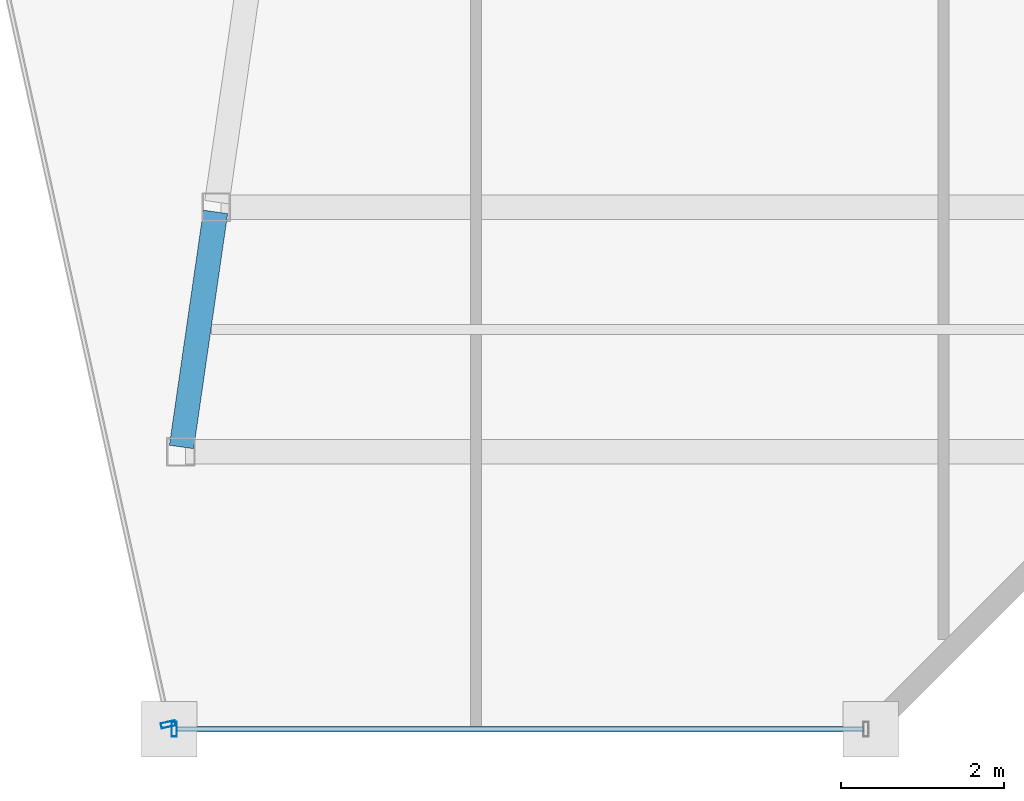
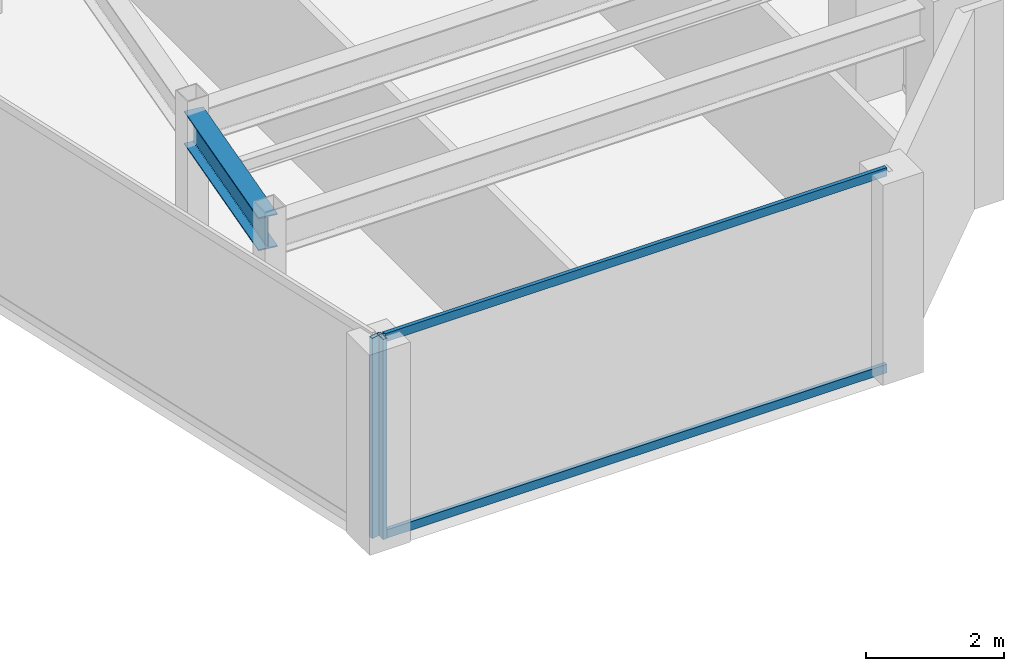
# One storey, part 12 of 33: 4 members, 1 beam, 2 elements without a shape of their own.
"""IFC4 building model written with IfcOpenShell, lengths in metres."""

from ifc_helpers import new_model, si_unit, direction, frame, origin, origin_2d, place, context, subcontext, project, spatial, hollow_rectangle, i_section, extrude, material, material_profile, profile_set, type_object, element, aggregate, save


model = new_model("IFC4")

# Units and contexts
model_context = context("Model", 3, precision=1e-05, world=origin(), true_north=direction((0.0, 1.0)))
body_context = subcontext(model_context, "Body", "Model", "MODEL_VIEW")
ifc_project = project(units=[si_unit("LENGTHUNIT", "METRE"), si_unit("AREAUNIT", "SQUARE_METRE"), si_unit("VOLUMEUNIT", "CUBIC_METRE"), si_unit("PLANEANGLEUNIT", "RADIAN"), si_unit("MASSUNIT", "GRAM", prefix="KILO")], contexts=[model_context])

# Site, building, storey
site_placement = place(None, origin())
site = spatial("IfcSite", under=ifc_project, at=site_placement, CompositionType="ELEMENT")
building_placement = place(site_placement, origin())
building = spatial("IfcBuilding", under=site, at=building_placement, Name="Saevonmaru Cultural Tower", CompositionType="ELEMENT")
storey_placement = place(building_placement, frame((0.0, 0.0, 238.199951171875)))
storey = spatial("IfcBuildingStorey", under=building, at=storey_placement, Name="L55", CompositionType="ELEMENT", Elevation=238.199951171875)

# Beam
ifc_material_1 = material(Name="Steel SM355", Category="steel")
ifc_material_profile_1 = material_profile(ifc_material_1, i_section(OverallWidth=0.300048828125, OverallDepth=0.587890625, WebThickness=0.011962890625, FlangeThickness=0.02001953125, FilletRadius=0.02392578125, at=origin_2d()), Name="H-588x300x12x20")
ifc_profile_set_1 = profile_set([ifc_material_profile_1], Name="Steel SM355")
beam_type = type_object("IfcBeamType", Name="BM-G-H588", PredefinedType="BEAM", material=ifc_profile_set_1)
beam_placement = place(storey_placement, frame((38.802490234375, 21.059326171875, 3.256103515625), z_axis=(0.143229094195, 0.989689560709, 0.0), x_axis=(-0.989689560709, 0.143229094195, 0.0)))
element("IfcBeam", 1, at=beam_placement, inside=storey, type_object=beam_type, Name="L55 East Atrium Girder 1", PredefinedType="BEAM", context=body_context, shape_type="SweptSolid", body=[
    extrude(i_section(OverallWidth=0.300048828125, OverallDepth=0.587890625, WebThickness=0.011962890625, FlangeThickness=0.02001953125, FilletRadius=0.02392578125, at=origin_2d()), origin(), (0.0, 0.0, 1.0), 2.911376953125),
])

# Curtain wall, member
ifc_material_2 = material(Name="Satin Bronze Anodised Aluminium", Category="aluminium")
curtain_wall_type = type_object("IfcCurtainWallType", Name="CW-TYP-B", PredefinedType="NOTDEFINED", material=ifc_material_2)
curtain_wall_1_placement = place(storey_placement, origin())
curtain_wall_1 = element("IfcCurtainWall", 2, at=curtain_wall_1_placement, inside=storey, type_object=curtain_wall_type, Name="L55 Unitised Curtain Wall E5", PredefinedType="NOTDEFINED")
ifc_material_profile_2 = material_profile(ifc_material_2, hollow_rectangle(XDim=0.06494140625, YDim=0.179931640625, WallThickness=0.00390625, at=origin_2d()), Name="ALU-MULL-180x65x4")
ifc_profile_set_2 = profile_set([ifc_material_profile_2], Name="Satin Bronze Anodised Aluminium")
member_type_1 = type_object("IfcMemberType", Name="ML-CW-180x65", PredefinedType="MULLION", material=ifc_profile_set_2)
member_1_placement = place(storey_placement, frame((38.640380859375, 17.65869140625, 0.0), z_axis=(0.0, 0.0, 1.0), x_axis=(0.215413319953, -0.976522965212, 0.0)))
member_1 = element("IfcMember", 3, at=member_1_placement, type_object=member_type_1, Name="CW-TW-L55-E5 mullion 2", PredefinedType="MULLION", context=body_context, shape_type="SweptSolid", body=[
    extrude(hollow_rectangle(XDim=0.06494140625, YDim=0.179931640625, WallThickness=0.00390625, at=origin_2d()), origin(), (0.0, 0.0, 1.0), 3.550048828125),
])
aggregate(curtain_wall_1, [member_1])

# Curtain wall, members
curtain_wall_2_placement = place(storey_placement, origin())
curtain_wall_2 = element("IfcCurtainWall", 4, at=curtain_wall_2_placement, inside=storey, type_object=curtain_wall_type, Name="L55 Unitised Curtain Wall E6", PredefinedType="NOTDEFINED")
member_2_placement = place(storey_placement, frame((38.71337890625, 17.60009765625, 0.0), z_axis=(0.0, 0.0, 1.0), x_axis=(1.0, 0.0, 0.0)))
member_2 = element("IfcMember", 5, at=member_2_placement, type_object=member_type_1, Name="CW-TW-L55-E6 mullion 1", PredefinedType="MULLION", context=body_context, shape_type="SweptSolid", body=[
    extrude(hollow_rectangle(XDim=0.06494140625, YDim=0.179931640625, WallThickness=0.00390625, at=origin_2d()), origin(), (0.0, 0.0, 1.0), 3.550048828125),
])
ifc_material_profile_3 = material_profile(ifc_material_2, hollow_rectangle(XDim=0.06494140625, YDim=0.14990234375, WallThickness=0.00390625, at=origin_2d()), Name="ALU-TRAN-150x65x4")
ifc_profile_set_3 = profile_set([ifc_material_profile_3], Name="Satin Bronze Anodised Aluminium")
member_type_2 = type_object("IfcMemberType", Name="TR-CW-150x65", PredefinedType="USERDEFINED", material=ifc_profile_set_3)
member_3_placement = place(storey_placement, frame((38.745849609375, 17.60009765625, 0.032470703125), z_axis=(1.0, 0.0, 0.0), x_axis=(0.0, 1.0, 0.0)))
member_3 = element("IfcMember", 6, at=member_3_placement, type_object=member_type_2, Name="CW-TW-L55-E6 transom 1.1", ObjectType="TRANSOM", PredefinedType="USERDEFINED", context=body_context, shape_type="SweptSolid", body=[
    extrude(hollow_rectangle(XDim=0.06494140625, YDim=0.14990234375, WallThickness=0.00390625, at=origin_2d()), origin(), (0.0, 0.0, 1.0), 8.4150390625),
])
member_4_placement = place(storey_placement, frame((38.745849609375, 17.60009765625, 3.517578125), z_axis=(1.0, 0.0, 0.0), x_axis=(0.0, 1.0, 0.0)))
member_4 = element("IfcMember", 7, at=member_4_placement, type_object=member_type_2, Name="CW-TW-L55-E6 transom 1.2", ObjectType="TRANSOM", PredefinedType="USERDEFINED", context=body_context, shape_type="SweptSolid", body=[
    extrude(hollow_rectangle(XDim=0.06494140625, YDim=0.14990234375, WallThickness=0.00390625, at=origin_2d()), origin(), (0.0, 0.0, 1.0), 8.4150390625),
])
aggregate(curtain_wall_2, [member_2, member_3, member_4])

save(model, "model.ifc")
